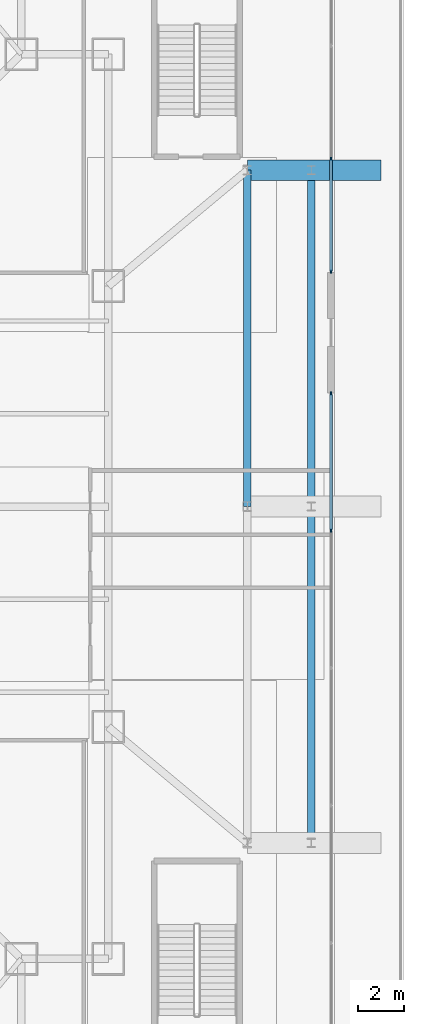
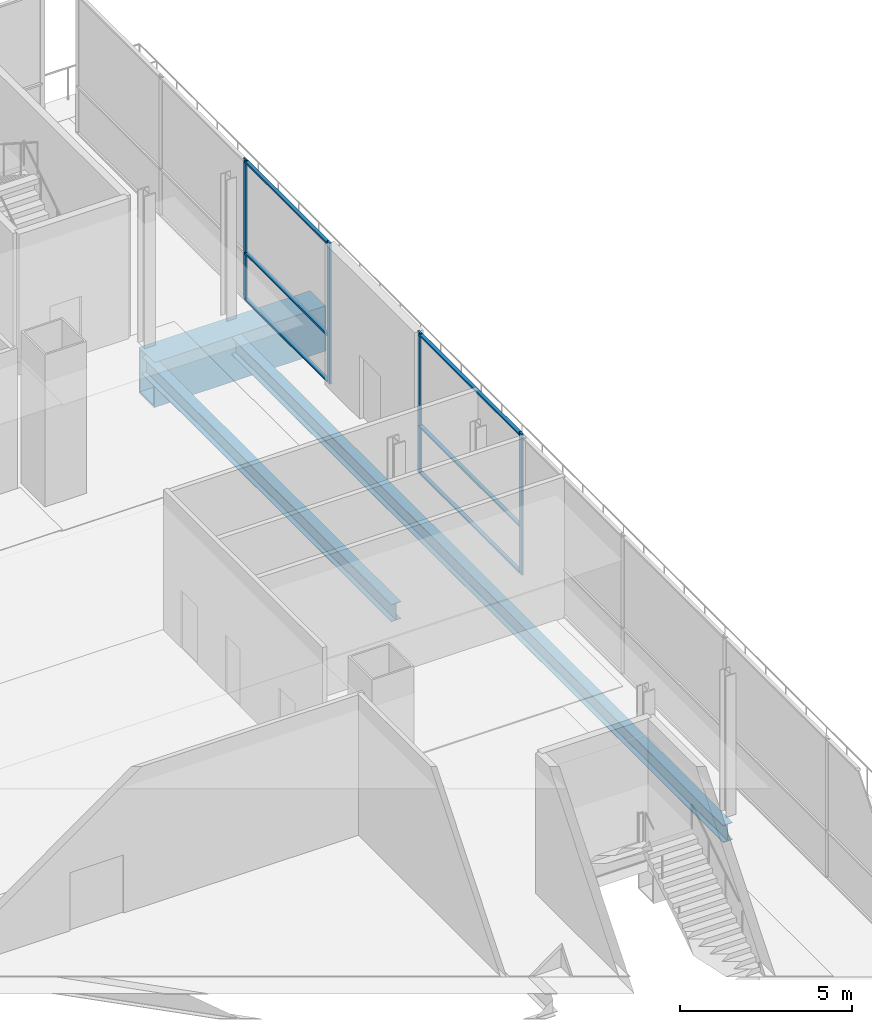
# One storey, part 18 of 36: 10 members, 3 beams, 2 elements without a shape of their own.
"""IFC4 building model written with IfcOpenShell, lengths in metres."""

from ifc_helpers import new_model, si_unit, direction, frame, origin, origin_2d, place, context, subcontext, project, spatial, rectangle, hollow_rectangle, i_section, extrude, material, layer, layer_set, material_profile, profile_set, type_object, element, aggregate, save


model = new_model("IFC4")

# Units and contexts
model_context = context("Model", 3, precision=1e-05, world=origin(), true_north=direction((0.0, 1.0)))
body_context = subcontext(model_context, "Body", "Model", "MODEL_VIEW")
ifc_project = project(units=[si_unit("LENGTHUNIT", "METRE"), si_unit("AREAUNIT", "SQUARE_METRE"), si_unit("VOLUMEUNIT", "CUBIC_METRE"), si_unit("PLANEANGLEUNIT", "RADIAN"), si_unit("MASSUNIT", "GRAM", prefix="KILO")], contexts=[model_context])

# Site, building, storey
site_placement = place(None, origin())
site = spatial("IfcSite", under=ifc_project, at=site_placement, CompositionType="ELEMENT")
building_placement = place(site_placement, origin())
building = spatial("IfcBuilding", under=site, at=building_placement, Name="Trevonay Congress Spire", CompositionType="ELEMENT")
storey_placement = place(building_placement, frame((0.0, 0.0, 16.199951171875)))
storey = spatial("IfcBuildingStorey", under=building, at=storey_placement, Name="L03", CompositionType="ELEMENT", Elevation=16.199951171875)

# Beams
ifc_material_1 = material(Name="Steel ASTM A572 Grade 50", Category="steel")
ifc_material_profile_1 = material_profile(ifc_material_1, i_section(OverallWidth=0.324951171875, OverallDepth=0.615966796875, WebThickness=0.013916015625, FlangeThickness=0.021484375, FilletRadius=0.01806640625, at=origin_2d()), Name="W610x174")
ifc_profile_set_1 = profile_set([ifc_material_profile_1], Name="Steel ASTM A572 Grade 50")
beam_type_1 = type_object("IfcBeamType", Name="BM-GIRD-W610X174", PredefinedType="BEAM", material=ifc_profile_set_1)
beam_1_placement = place(storey_placement, frame((29.25, 0.0, -0.7080078125), z_axis=(0.0, 1.0, 0.0), x_axis=(-1.0, 0.0, 0.0)))
element("IfcBeam", 1, at=beam_1_placement, inside=storey, type_object=beam_type_1, Name="L03 structural beam BM-L03-POD-EH", PredefinedType="BEAM", context=body_context, shape_type="SweptSolid", body=[
    extrude(i_section(OverallWidth=0.324951171875, OverallDepth=0.615966796875, WebThickness=0.013916015625, FlangeThickness=0.021484375, FilletRadius=0.01806640625, at=origin_2d()), origin(), (0.0, 0.0, 1.0), 14.5),
])
beam_2_placement = place(storey_placement, frame((32.0, -14.5, -0.7080078125), z_axis=(0.0, 1.0, 0.0), x_axis=(-1.0, 0.0, 0.0)))
element("IfcBeam", 2, at=beam_2_placement, inside=storey, type_object=beam_type_1, Name="L03 structural beam BM-L03-EXEL", PredefinedType="BEAM", context=body_context, shape_type="SweptSolid", body=[
    extrude(i_section(OverallWidth=0.324951171875, OverallDepth=0.615966796875, WebThickness=0.013916015625, FlangeThickness=0.021484375, FilletRadius=0.01806640625, at=origin_2d()), origin(), (0.0, 0.0, 1.0), 29.0),
])
ifc_material_profile_2 = material_profile(ifc_material_1, hollow_rectangle(XDim=0.89990234375, YDim=1.60009765625, WallThickness=0.06005859375, at=origin_2d()), Name="BOX 1600x900x60")
ifc_profile_set_2 = profile_set([ifc_material_profile_2], Name="Steel ASTM A572 Grade 50")
beam_type_2 = type_object("IfcBeamType", Name="BM-XFER-BOX1600", PredefinedType="BEAM", material=ifc_profile_set_2)
beam_3_placement = place(storey_placement, frame((29.25, 14.5, -1.199951171875), z_axis=(1.0, 0.0, 0.0), x_axis=(0.0, 1.0, 0.0)))
element("IfcBeam", 3, at=beam_3_placement, inside=storey, type_object=beam_type_2, Name="L03 structural beam BM-L03-EXE-N", PredefinedType="BEAM", context=body_context, shape_type="SweptSolid", body=[
    extrude(hollow_rectangle(XDim=0.89990234375, YDim=1.60009765625, WallThickness=0.06005859375, at=origin_2d()), origin(), (0.0, 0.0, 1.0), 5.75),
])

# Curtain wall, members
ifc_material_2 = material(Name="Pale Anodised Aluminium EN AW-6063-T6", Category="aluminium")
ifc_layer = layer(ifc_material_2, 0.179931640625, Name="Pale Anodised Aluminium EN AW-6063-T6")
ifc_layer_set = layer_set([ifc_layer], Name="Pale Anodised Aluminium EN AW-6063-T6")
curtain_wall_type = type_object("IfcCurtainWallType", Name="CW-SYS01-PODIUM-PALE-METAL", PredefinedType="NOTDEFINED", material=ifc_layer_set)
curtain_wall_1_placement = place(storey_placement, origin())
curtain_wall_1 = element("IfcCurtainWall", 4, at=curtain_wall_1_placement, inside=storey, type_object=curtain_wall_type, Name="L03 E1 podium curtain wall", PredefinedType="NOTDEFINED")
ifc_material_profile_3 = material_profile(ifc_material_2, rectangle(XDim=0.06005859375, YDim=0.159912109375, at=origin_2d()), Name="CW-MULLION-160-ALUMINIUM")
ifc_profile_set_3 = profile_set([ifc_material_profile_3], Name="Pale Anodised Aluminium EN AW-6063-T6")
member_type_1 = type_object("IfcMemberType", Name="CW-MULLION-160-ALUMINIUM", PredefinedType="MULLION", material=ifc_profile_set_3)
member_1_placement = place(storey_placement, frame((32.85009765625, -1.030029296875, 0.0), z_axis=(0.0, 0.0, 1.0), x_axis=(-1.0, 0.0, 0.0)))
member_1 = element("IfcMember", 5, at=member_1_placement, type_object=member_type_1, Name="CW01 mullion 5", PredefinedType="MULLION", context=body_context, shape_type="SweptSolid", body=[
    extrude(rectangle(XDim=0.06005859375, YDim=0.159912109375, at=origin_2d()), origin(), (0.0, 0.0, 1.0), 5.0),
])
member_2_placement = place(storey_placement, frame((32.85009765625, 4.8701171875, 0.0), z_axis=(0.0, 0.0, 1.0), x_axis=(-1.0, 0.0, 0.0)))
member_2 = element("IfcMember", 6, at=member_2_placement, type_object=member_type_1, Name="CW01 mullion 6", PredefinedType="MULLION", context=body_context, shape_type="SweptSolid", body=[
    extrude(rectangle(XDim=0.06005859375, YDim=0.159912109375, at=origin_2d()), origin(), (0.0, 0.0, 1.0), 5.0),
])

curtain_wall_2_placement = place(storey_placement, origin())
curtain_wall_2 = element("IfcCurtainWall", 7, at=curtain_wall_2_placement, inside=storey, type_object=curtain_wall_type, Name="L03 E2 podium curtain wall", PredefinedType="NOTDEFINED")
member_3_placement = place(storey_placement, frame((32.85009765625, 10.1298828125, 0.0), z_axis=(0.0, 0.0, 1.0), x_axis=(-1.0, 0.0, 0.0)))
member_3 = element("IfcMember", 8, at=member_3_placement, type_object=member_type_1, Name="CW01 mullion 1", PredefinedType="MULLION", context=body_context, shape_type="SweptSolid", body=[
    extrude(rectangle(XDim=0.06005859375, YDim=0.159912109375, at=origin_2d()), origin(), (0.0, 0.0, 1.0), 5.0),
])
member_4_placement = place(storey_placement, frame((32.85009765625, 14.9833984375, 0.0), z_axis=(0.0, 0.0, 1.0), x_axis=(-1.0, 0.0, 0.0)))
member_4 = element("IfcMember", 9, at=member_4_placement, type_object=member_type_1, Name="CW01 mullion 2", PredefinedType="MULLION", context=body_context, shape_type="SweptSolid", body=[
    extrude(rectangle(XDim=0.06005859375, YDim=0.159912109375, at=origin_2d()), origin(), (0.0, 0.0, 1.0), 5.0),
])

# Member
ifc_material_profile_4 = material_profile(ifc_material_2, rectangle(XDim=0.1201171875, YDim=0.06005859375, at=origin_2d()), Name="CW-TRANSOM-120-ALUMINIUM")
ifc_profile_set_4 = profile_set([ifc_material_profile_4], Name="Pale Anodised Aluminium EN AW-6063-T6")
member_type_2 = type_object("IfcMemberType", Name="CW-TRANSOM-120-ALUMINIUM", PredefinedType="USERDEFINED", material=ifc_profile_set_4)
member_5_placement = place(storey_placement, frame((32.85009765625, -1.0, 0.06005859375), z_axis=(0.0, 1.0, 0.0), x_axis=(-1.0, 0.0, 0.0)))
member_5 = element("IfcMember", 10, at=member_5_placement, type_object=member_type_2, Name="CW01 transom 5.1", ObjectType="TRANSOM", PredefinedType="USERDEFINED", context=body_context, shape_type="SweptSolid", body=[
    extrude(rectangle(XDim=0.1201171875, YDim=0.06005859375, at=origin_2d()), origin(), (0.0, 0.0, 1.0), 5.840087890625),
])

member_6_placement = place(storey_placement, frame((32.85009765625, -1.0, 1.699951171875), z_axis=(0.0, 1.0, 0.0), x_axis=(-1.0, 0.0, 0.0)))
member_6 = element("IfcMember", 11, at=member_6_placement, type_object=member_type_2, Name="CW01 transom 5.2", ObjectType="TRANSOM", PredefinedType="USERDEFINED", context=body_context, shape_type="SweptSolid", body=[
    extrude(rectangle(XDim=0.1201171875, YDim=0.06005859375, at=origin_2d()), origin(), (0.0, 0.0, 1.0), 5.840087890625),
])

member_7_placement = place(storey_placement, frame((32.85009765625, -1.0, 4.93994140625), z_axis=(0.0, 1.0, 0.0), x_axis=(-1.0, 0.0, 0.0)))
member_7 = element("IfcMember", 12, at=member_7_placement, type_object=member_type_2, Name="CW01 transom 5.3", ObjectType="TRANSOM", PredefinedType="USERDEFINED", context=body_context, shape_type="SweptSolid", body=[
    extrude(rectangle(XDim=0.1201171875, YDim=0.06005859375, at=origin_2d()), origin(), (0.0, 0.0, 1.0), 5.840087890625),
])

aggregate(curtain_wall_1, [member_1, member_2, member_5, member_6, member_7])

member_8_placement = place(storey_placement, frame((32.85009765625, 10.159912109375, 0.06005859375), z_axis=(0.0, 1.0, 0.0), x_axis=(-1.0, 0.0, 0.0)))
member_8 = element("IfcMember", 13, at=member_8_placement, type_object=member_type_2, Name="CW01 transom 1.1", ObjectType="TRANSOM", PredefinedType="USERDEFINED", context=body_context, shape_type="SweptSolid", body=[
    extrude(rectangle(XDim=0.1201171875, YDim=0.06005859375, at=origin_2d()), origin(), (0.0, 0.0, 1.0), 4.79345703125),
])

member_9_placement = place(storey_placement, frame((32.85009765625, 10.159912109375, 1.699951171875), z_axis=(0.0, 1.0, 0.0), x_axis=(-1.0, 0.0, 0.0)))
member_9 = element("IfcMember", 14, at=member_9_placement, type_object=member_type_2, Name="CW01 transom 1.2", ObjectType="TRANSOM", PredefinedType="USERDEFINED", context=body_context, shape_type="SweptSolid", body=[
    extrude(rectangle(XDim=0.1201171875, YDim=0.06005859375, at=origin_2d()), origin(), (0.0, 0.0, 1.0), 4.79345703125),
])

member_10_placement = place(storey_placement, frame((32.85009765625, 10.159912109375, 4.93994140625), z_axis=(0.0, 1.0, 0.0), x_axis=(-1.0, 0.0, 0.0)))
member_10 = element("IfcMember", 15, at=member_10_placement, type_object=member_type_2, Name="CW01 transom 1.3", ObjectType="TRANSOM", PredefinedType="USERDEFINED", context=body_context, shape_type="SweptSolid", body=[
    extrude(rectangle(XDim=0.1201171875, YDim=0.06005859375, at=origin_2d()), origin(), (0.0, 0.0, 1.0), 4.79345703125),
])

aggregate(curtain_wall_2, [member_3, member_4, member_8, member_9, member_10])

save(model, "model.ifc")
